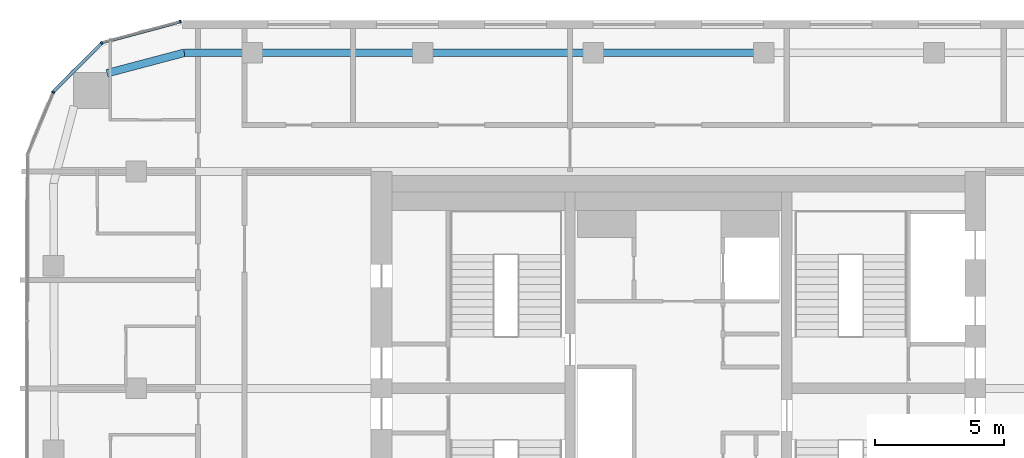
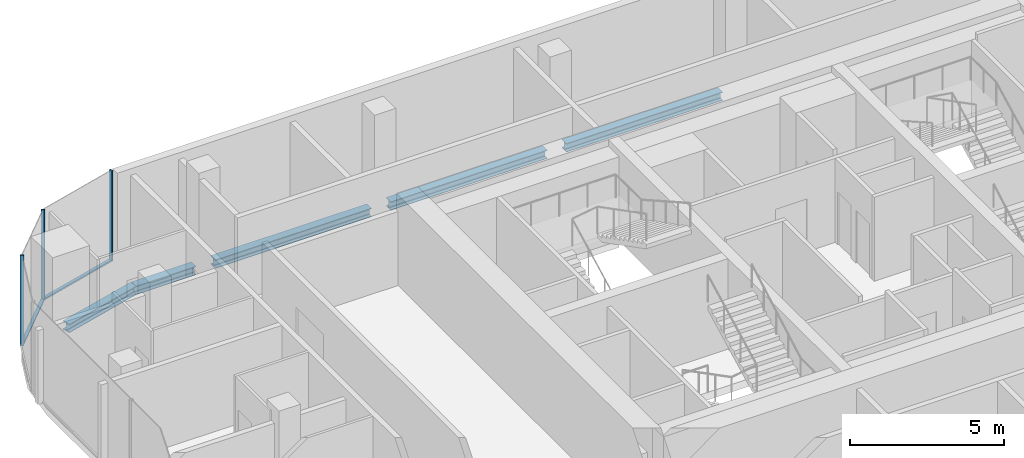
# One storey, part 10 of 22: 5 beams, 5 members, 3 elements without a shape of their own.
"""IFC4 building model written with IfcOpenShell, lengths in metres."""

from ifc_helpers import new_model, si_unit, direction, frame, origin, origin_2d, place, context, subcontext, project, spatial, rectangle, i_section, extrude, material, layer, layer_set, material_profile, profile_set, type_object, element, aggregate, save


model = new_model("IFC4")

# Units and contexts
model_context = context("Model", 3, precision=1e-05, world=origin(), true_north=direction((0.0, 1.0)))
body_context = subcontext(model_context, "Body", "Model", "MODEL_VIEW")
ifc_project = project(units=[si_unit("LENGTHUNIT", "METRE"), si_unit("AREAUNIT", "SQUARE_METRE"), si_unit("VOLUMEUNIT", "CUBIC_METRE"), si_unit("PLANEANGLEUNIT", "RADIAN"), si_unit("MASSUNIT", "GRAM", prefix="KILO")], contexts=[model_context])

# Site, building, storey
site_placement = place(None, origin())
site = spatial("IfcSite", under=ifc_project, at=site_placement, CompositionType="ELEMENT")
building_placement = place(site_placement, origin())
building = spatial("IfcBuilding", under=site, at=building_placement, Name="Marenta Gate Hotel Tower", CompositionType="ELEMENT")
storey_placement = place(building_placement, frame((0.0, 0.0, 194.89990234375)))
storey = spatial("IfcBuildingStorey", under=building, at=storey_placement, Name="L44", CompositionType="ELEMENT", Elevation=194.89990234375)

# Beams
ifc_material_1 = material(Name="Steel S355", Category="steel")
ifc_material_profile_1 = material_profile(ifc_material_1, i_section(OverallWidth=0.300048828125, OverallDepth=0.340087890625, WebThickness=0.011962890625, FlangeThickness=0.021484375, FilletRadius=0.027099609375, at=origin_2d()), Name="HEB 340")
ifc_profile_set_1 = profile_set([ifc_material_profile_1], Name="Steel S355")
beam_type = type_object("IfcBeamType", Name="Edge beam HEB 340", PredefinedType="SPANDREL", material=ifc_profile_set_1)
beam_1_placement = place(storey_placement, frame((-22.132080078125, 20.607177734375, -0.429931640625), z_axis=(0.9667647815, 0.25566747398, 0.0), x_axis=(-0.25566747398, 0.9667647815, 0.0)))
element("IfcBeam", 1, at=beam_1_placement, inside=storey, type_object=beam_type, Name="L44-EB-12", PredefinedType="SPANDREL", context=body_context, shape_type="SweptSolid", body=[
    extrude(i_section(OverallWidth=0.300048828125, OverallDepth=0.340087890625, WebThickness=0.011962890625, FlangeThickness=0.021484375, FilletRadius=0.027099609375, at=origin_2d()), origin(), (0.0, 0.0, 1.0), 3.1005859375),
])
beam_2_placement = place(storey_placement, frame((-19.134521484375, 21.39990234375, -0.429931640625), z_axis=(1.0, 0.0, 0.0), x_axis=(0.0, 1.0, 0.0)))
element("IfcBeam", 2, at=beam_2_placement, inside=storey, type_object=beam_type, Name="L44-EB-13", PredefinedType="SPANDREL", context=body_context, shape_type="SweptSolid", body=[
    extrude(i_section(OverallWidth=0.300048828125, OverallDepth=0.340087890625, WebThickness=0.011962890625, FlangeThickness=0.021484375, FilletRadius=0.027099609375, at=origin_2d()), origin(), (0.0, 0.0, 1.0), 2.267578125),
])
for number, where, z_axis, x_axis, name in (
    (3, (-16.14697265625, 21.39990234375, -0.429931640625), (1.0, 0.0, 0.0), (0.0, 1.0, 0.0), "L44-EB-14"),
    (4, (-9.544189453125, 21.39990234375, -0.429931640625), (1.0, 0.0, 0.0), (0.0, 1.0, 0.0), "L44-EB-15"),
    (5, (-2.94140625, 21.39990234375, -0.429931640625), (1.0, 0.0, 0.0), (0.0, 1.0, 0.0), "L44-EB-16"),
):
    element("IfcBeam", number, at=place(storey_placement, frame(where, z_axis=z_axis, x_axis=x_axis)), inside=storey, type_object=beam_type, Name=name, PredefinedType="SPANDREL", context=body_context, shape_type="SweptSolid", body=[
        extrude(i_section(OverallWidth=0.300048828125, OverallDepth=0.340087890625, WebThickness=0.011962890625, FlangeThickness=0.021484375, FilletRadius=0.027099609375, at=origin_2d()), origin(), (0.0, 0.0, 1.0), 5.8828125),
    ])

# Curtain wall, member
ifc_material_2 = material(Name="Tinted insulated glass in bronze anodised frame", Category="glass")
ifc_layer = layer(ifc_material_2, 0.1201171875)
ifc_layer_set = layer_set([ifc_layer], Name="Tinted insulated glass in bronze anodised frame")
curtain_wall_type = type_object("IfcCurtainWallType", Name="Tower unitised curtain wall CW1", PredefinedType="NOTDEFINED", material=ifc_layer_set)
curtain_wall_1_placement = place(storey_placement, origin())
curtain_wall_1 = element("IfcCurtainWall", 6, at=curtain_wall_1_placement, inside=storey, type_object=curtain_wall_type, Name="CW1 run G00", PredefinedType="NOTDEFINED")
ifc_material_3 = material(Name="Bronze anodised aluminium", Category="aluminium")
ifc_material_profile_2 = material_profile(ifc_material_3, rectangle(XDim=0.1201171875, YDim=0.06005859375, at=origin_2d()), Name="Mullion CW1 60x120 bronze anodised aluminium")
ifc_profile_set_2 = profile_set([ifc_material_profile_2], Name="Bronze anodised aluminium")
member_type_1 = type_object("IfcMemberType", Name="Mullion CW1 60x120 bronze anodised aluminium", PredefinedType="MULLION", material=ifc_profile_set_2)
member_1_placement = place(storey_placement, frame((-19.285400390625, 22.603271484375, 0.0), z_axis=(0.0, 0.0, 1.0), x_axis=(0.258801379183, -0.965930559685, 0.0)))
member_1 = element("IfcMember", 7, at=member_1_placement, type_object=member_type_1, Name="CW1 mullion 1", PredefinedType="MULLION", context=body_context, shape_type="SweptSolid", body=[
    extrude(rectangle(XDim=0.1201171875, YDim=0.06005859375, at=origin_2d()), origin(), (0.0, 0.0, 1.0), 3.60009765625),
])

curtain_wall_2_placement = place(storey_placement, origin())
curtain_wall_2 = element("IfcCurtainWall", 8, at=curtain_wall_2_placement, inside=storey, type_object=curtain_wall_type, Name="CW1 run G01", PredefinedType="NOTDEFINED")
member_2_placement = place(storey_placement, frame((-22.334228515625, 21.77099609375, 0.0), z_axis=(0.0, 0.0, 1.0), x_axis=(0.707106781187, -0.707106781187, 0.0)))
member_2 = element("IfcMember", 9, at=member_2_placement, type_object=member_type_1, Name="CW1 mullion 1", PredefinedType="MULLION", context=body_context, shape_type="SweptSolid", body=[
    extrude(rectangle(XDim=0.1201171875, YDim=0.06005859375, at=origin_2d()), origin(), (0.0, 0.0, 1.0), 3.60009765625),
])

curtain_wall_3_placement = place(storey_placement, origin())
curtain_wall_3 = element("IfcCurtainWall", 10, at=curtain_wall_3_placement, inside=storey, type_object=curtain_wall_type, Name="CW1 run G02", PredefinedType="NOTDEFINED")
member_3_placement = place(storey_placement, frame((-24.215087890625, 19.87353515625, 0.0), z_axis=(0.0, 0.0, 1.0), x_axis=(0.923886433266, -0.382666772044, 0.0)))
member_3 = element("IfcMember", 11, at=member_3_placement, type_object=member_type_1, Name="CW1 mullion 1", PredefinedType="MULLION", context=body_context, shape_type="SweptSolid", body=[
    extrude(rectangle(XDim=0.1201171875, YDim=0.06005859375, at=origin_2d()), origin(), (0.0, 0.0, 1.0), 3.60009765625),
])
aggregate(curtain_wall_3, [member_3])

# Member
ifc_material_4 = material(Name="Bronze anodised aluminium", Category="aluminium")
ifc_material_profile_3 = material_profile(ifc_material_4, rectangle(XDim=0.1201171875, YDim=0.06005859375, at=origin_2d()), Name="Transom CW1 60x120 bronze anodised aluminium")
ifc_profile_set_3 = profile_set([ifc_material_profile_3], Name="Bronze anodised aluminium")
member_type_2 = type_object("IfcMemberType", Name="Transom CW1 60x120 bronze anodised aluminium", PredefinedType="USERDEFINED", material=ifc_profile_set_3)
member_4_placement = place(storey_placement, frame((-19.314453125, 22.595458984375, 0.030029296875), z_axis=(-0.965924882171, -0.258822568574, 0.0), x_axis=(0.258822568574, -0.965924882171, 0.0)))
member_4 = element("IfcMember", 12, at=member_4_placement, type_object=member_type_2, Name="CW1 transom 1.1", ObjectType="TRANSOM", PredefinedType="USERDEFINED", context=body_context, shape_type="SweptSolid", body=[
    extrude(rectangle(XDim=0.1201171875, YDim=0.06005859375, at=origin_2d()), origin(), (0.0, 0.0, 1.0), 3.104248046875),
])

aggregate(curtain_wall_1, [member_1, member_4])

member_5_placement = place(storey_placement, frame((-22.355224609375, 21.749755859375, 0.030029296875), z_axis=(-0.707106781187, -0.707106781187, 0.0), x_axis=(0.707106781187, -0.707106781187, 0.0)))
member_5 = element("IfcMember", 13, at=member_5_placement, type_object=member_type_2, Name="CW1 transom 1.1", ObjectType="TRANSOM", PredefinedType="USERDEFINED", context=body_context, shape_type="SweptSolid", body=[
    extrude(rectangle(XDim=0.1201171875, YDim=0.06005859375, at=origin_2d()), origin(), (0.0, 0.0, 1.0), 2.614013671875),
])

aggregate(curtain_wall_2, [member_2, member_5])

save(model, "model.ifc")
